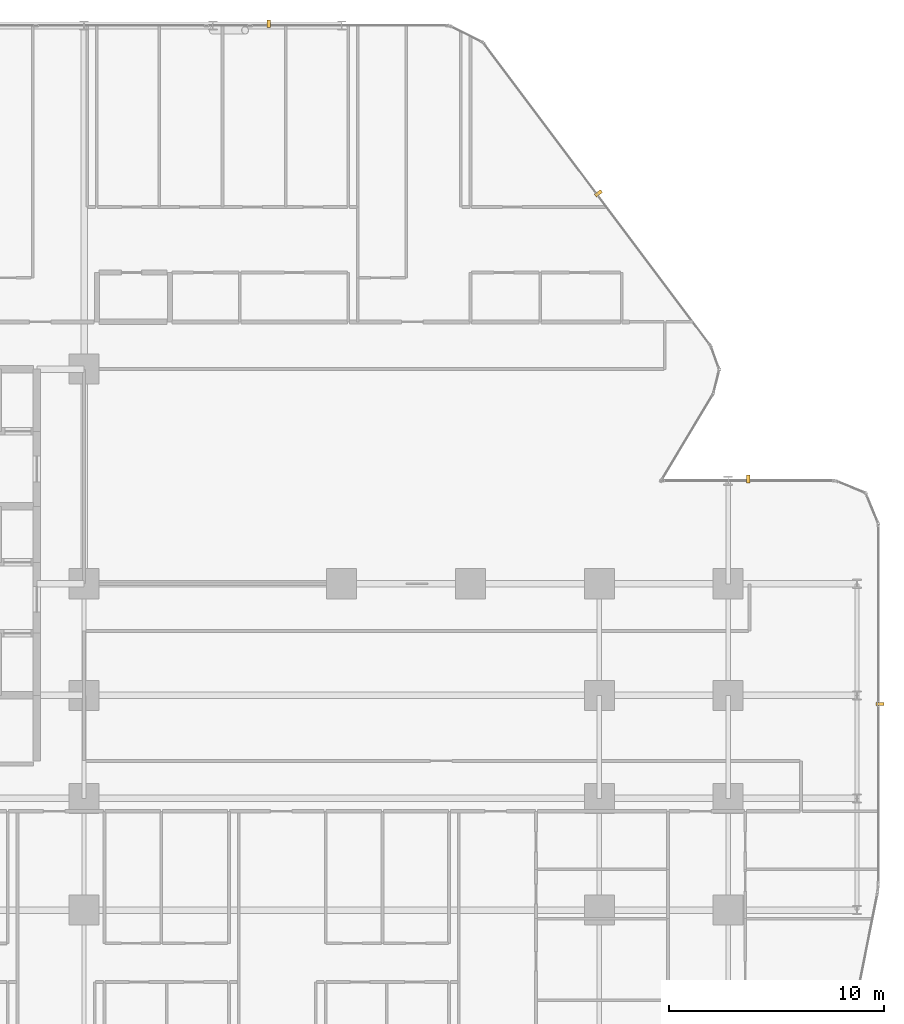
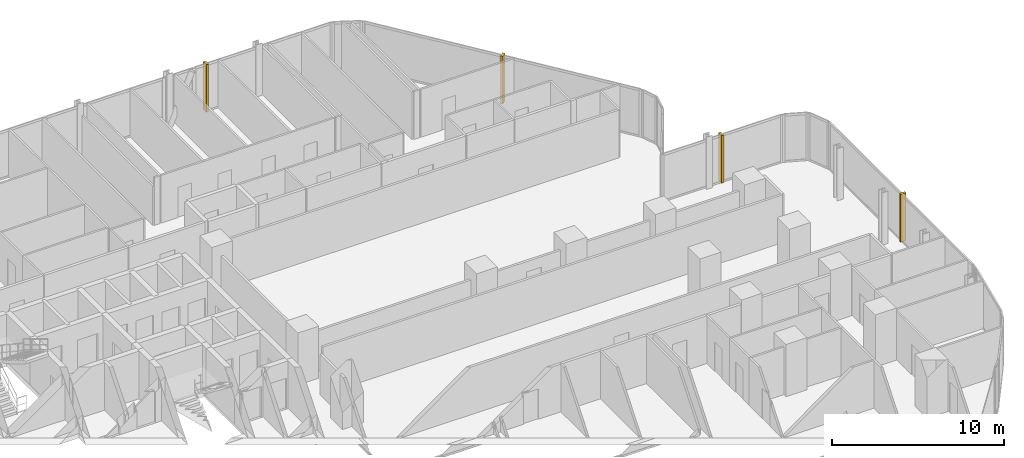
# One storey, part 34 of 34: 4 coverings.
"""IFC4 building model written with IfcOpenShell, lengths in metres."""

from ifc_helpers import new_model, si_unit, direction, frame, origin, origin_2d, place, context, subcontext, project, spatial, rectangle, extrude, material, type_object, element, save


model = new_model("IFC4")

# Units and contexts
model_context = context("Model", 3, precision=1e-05, world=origin(), true_north=direction((0.0, 1.0)))
body_context = subcontext(model_context, "Body", "Model", "MODEL_VIEW")
ifc_project = project(units=[si_unit("LENGTHUNIT", "METRE"), si_unit("AREAUNIT", "SQUARE_METRE"), si_unit("VOLUMEUNIT", "CUBIC_METRE"), si_unit("PLANEANGLEUNIT", "RADIAN"), si_unit("MASSUNIT", "GRAM", prefix="KILO")], contexts=[model_context])

# Site, building, storey
site_placement = place(None, origin())
site = spatial("IfcSite", under=ifc_project, at=site_placement, CompositionType="ELEMENT")
building_placement = place(site_placement, origin())
building = spatial("IfcBuilding", under=site, at=building_placement, Name="Keshet Zoharim Tower", CompositionType="ELEMENT")
storey_placement = place(building_placement, frame((0.0, 0.0, 31.39990234375)))
storey = spatial("IfcBuildingStorey", under=building, at=storey_placement, Name="L06", CompositionType="ELEMENT", Elevation=31.39990234375)

# Coverings
ifc_material = material(Name="Concrete C50/60 precast", Category="concrete")
covering_type = type_object("IfcCoveringType", Name="FIN-SOL-360", PredefinedType="CLADDING", material=ifc_material)
for number, where, z_axis, x_axis, name in (
    (1, (41.593994140625, 53.97998046875, 0.0), (0.0, 0.0, 1.0), (1.0, 0.0, 0.0), "L06 Vertical Precast Solar Fin 06"),
    (2, (56.9609375, 46.0859375, 0.0), (0.0, 0.0, 1.0), (0.600000000002, -0.799999999998, 0.0), "L06 Vertical Precast Solar Fin 07"),
    (3, (63.93994140625, 32.780029296875, 0.0), (0.0, 0.0, 1.0), (1.0, 0.0, 0.0), "L06 Vertical Precast Solar Fin 08"),
    (4, (70.080078125, 22.299072265625, 0.0), (0.0, 0.0, 1.0), (0.0, -1.0, 0.0), "L06 Vertical Precast Solar Fin 09"),
):
    element("IfcCovering", number, at=place(storey_placement, frame(where, z_axis=z_axis, x_axis=x_axis)), inside=storey, type_object=covering_type, Name=name, PredefinedType="CLADDING", context=body_context, shape_type="SweptSolid", body=[
        extrude(rectangle(XDim=0.159912109375, YDim=0.360107421875, at=origin_2d()), origin(), (0.0, 0.0, 1.0), 3.385009765625),
    ])

save(model, "model.ifc")
